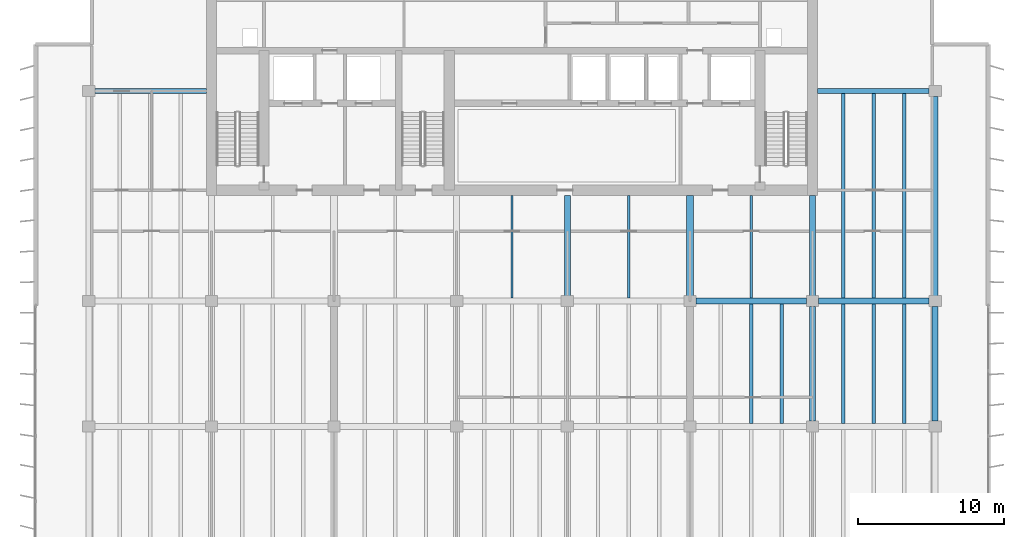
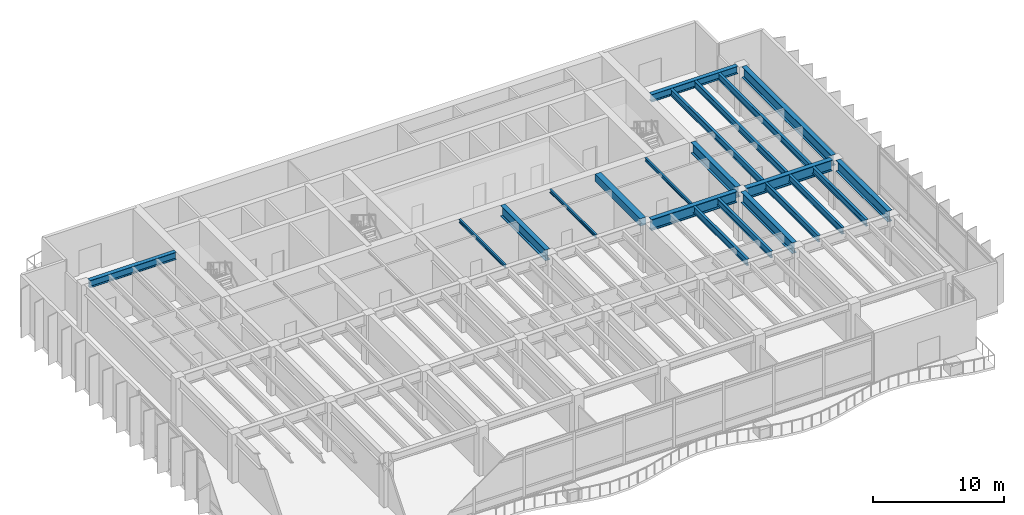
# One storey, part 5 of 15: 21 beams.
"""IFC4 building model written with IfcOpenShell, lengths in metres."""

from ifc_helpers import new_model, si_unit, direction, frame, origin, origin_2d, place, context, subcontext, project, spatial, rectangle, i_section, extrude, material, material_profile, profile_set, type_object, element, save


model = new_model("IFC4")

# Units and contexts
model_context = context("Model", 3, precision=1e-05, world=origin(), true_north=direction((0.0, 1.0)))
body_context = subcontext(model_context, "Body", "Model", "MODEL_VIEW")
ifc_project = project(units=[si_unit("LENGTHUNIT", "METRE"), si_unit("AREAUNIT", "SQUARE_METRE"), si_unit("VOLUMEUNIT", "CUBIC_METRE"), si_unit("PLANEANGLEUNIT", "RADIAN"), si_unit("MASSUNIT", "GRAM", prefix="KILO")], contexts=[model_context])

# Site, building, storey
site_placement = place(None, origin())
site = spatial("IfcSite", under=ifc_project, at=site_placement, CompositionType="ELEMENT")
building_placement = place(site_placement, origin())
building = spatial("IfcBuilding", under=site, at=building_placement, Name="Caelmar Bay Residences", CompositionType="ELEMENT")
storey_placement = place(building_placement, frame((0.0, 0.0, 183.60009765625)))
storey = spatial("IfcBuildingStorey", under=building, at=storey_placement, Name="L51", CompositionType="ELEMENT", Elevation=183.60009765625)

# Beams
ifc_material_1 = material(Name="Steel ASTM A992 Grade 50", Category="steel")
ifc_material_profile_1 = material_profile(ifc_material_1, i_section(OverallWidth=0.404052734375, OverallDepth=1.02099609375, WebThickness=0.025390625, FlangeThickness=0.0458984375, FilletRadius=0.02294921875, at=origin_2d()), Name="W40X324")
ifc_profile_set_1 = profile_set([ifc_material_profile_1], Name="Steel ASTM A992 Grade 50")
beam_type_1 = type_object("IfcBeamType", Name="BM-GRD-W40X324", PredefinedType="BEAM", material=ifc_profile_set_1)
for number, where, z_axis, x_axis, name in (
    (1, (51.514892578125, 29.39990234375, 4.039306640625), (1.0, 0.0, 0.0), (0.0, 1.0, 0.0), "L51 East-West Girder Y=29.40 (51.1-59.5)"),
    (2, (59.9150390625, 29.39990234375, 4.039306640625), (1.0, 0.0, 0.0), (0.0, 1.0, 0.0), "L51 East-West Girder Y=29.40 (59.5-67.9)"),
):
    element("IfcBeam", number, at=place(storey_placement, frame(where, z_axis=z_axis, x_axis=x_axis)), inside=storey, type_object=beam_type_1, Name=name, PredefinedType="BEAM", context=body_context, shape_type="SweptSolid", body=[
        extrude(i_section(OverallWidth=0.404052734375, OverallDepth=1.02099609375, WebThickness=0.025390625, FlangeThickness=0.0458984375, FilletRadius=0.02294921875, at=origin_2d()), origin(), (0.0, 0.0, 1.0), 7.570068359375),
    ])
for number, where, z_axis, x_axis, name in (
    (3, (42.699951171875, 29.764892578125, 4.039306640625), (0.0, 1.0, 0.0), (-1.0, 0.0, 0.0), "L51 Core Tie Girder X=42.70"),
    (4, (59.5, 29.764892578125, 4.039306640625), (0.0, 1.0, 0.0), (-1.0, 0.0, 0.0), "L51 Core Tie Girder X=59.50"),
):
    element("IfcBeam", number, at=place(storey_placement, frame(where, z_axis=z_axis, x_axis=x_axis)), inside=storey, type_object=beam_type_1, Name=name, PredefinedType="BEAM", context=body_context, shape_type="SweptSolid", body=[
        extrude(i_section(OverallWidth=0.404052734375, OverallDepth=1.02099609375, WebThickness=0.025390625, FlangeThickness=0.0458984375, FilletRadius=0.02294921875, at=origin_2d()), origin(), (0.0, 0.0, 1.0), 6.885009765625),
    ])
for number, where, z_axis, x_axis, name in (
    (5, (59.5, 21.1650390625, 4.039306640625), (0.0, 1.0, 0.0), (-1.0, 0.0, 0.0), "L51 North-South Girder X=59.50 (20.8-29.4)"),
    (6, (67.89990234375, 21.1650390625, 4.039306640625), (0.0, 1.0, 0.0), (-1.0, 0.0, 0.0), "L51 North-South Girder X=67.90 (20.8-29.4)"),
):
    element("IfcBeam", number, at=place(storey_placement, frame(where, z_axis=z_axis, x_axis=x_axis)), inside=storey, type_object=beam_type_1, Name=name, PredefinedType="BEAM", context=body_context, shape_type="SweptSolid", body=[
        extrude(i_section(OverallWidth=0.404052734375, OverallDepth=1.02099609375, WebThickness=0.025390625, FlangeThickness=0.0458984375, FilletRadius=0.02294921875, at=origin_2d()), origin(), (0.0, 0.0, 1.0), 7.869873046875),
    ])
beam_1_placement = place(storey_placement, frame((67.89990234375, 29.764892578125, 4.039306640625), z_axis=(0.0, 1.0, 0.0), x_axis=(-1.0, 0.0, 0.0)))
element("IfcBeam", 7, at=beam_1_placement, inside=storey, type_object=beam_type_1, Name="L51 North-South Girder X=67.90 (29.4-43.8)", PredefinedType="BEAM", context=body_context, shape_type="SweptSolid", body=[
    extrude(i_section(OverallWidth=0.404052734375, OverallDepth=1.02099609375, WebThickness=0.025390625, FlangeThickness=0.0458984375, FilletRadius=0.02294921875, at=origin_2d()), origin(), (0.0, 0.0, 1.0), 13.670166015625),
])
ifc_material_profile_2 = material_profile(ifc_material_1, i_section(OverallWidth=0.1650390625, OverallDepth=0.31005859375, WebThickness=0.005859375, FlangeThickness=0.009765625, FilletRadius=0.007568359375, at=origin_2d()), Name="W12X26")
ifc_profile_set_2 = profile_set([ifc_material_profile_2], Name="Steel ASTM A992 Grade 50")
beam_type_2 = type_object("IfcBeamType", Name="BM-JST-W12X26", PredefinedType="JOIST", material=ifc_profile_set_2)
for number, where, z_axis, x_axis, name in (
    (8, (38.89990234375, 29.60205078125, 4.39501953125), (0.0, 1.0, 0.0), (-1.0, 0.0, 0.0), "L51 Core-Band Composite Joist 45"),
    (9, (46.89990234375, 29.60205078125, 4.39501953125), (0.0, 1.0, 0.0), (-1.0, 0.0, 0.0), "L51 Core-Band Composite Joist 46"),
    (10, (55.300048828125, 29.60205078125, 4.39501953125), (0.0, 1.0, 0.0), (-1.0, 0.0, 0.0), "L51 Core-Band Composite Joist 47"),
):
    element("IfcBeam", number, at=place(storey_placement, frame(where, z_axis=z_axis, x_axis=x_axis)), inside=storey, type_object=beam_type_2, Name=name, PredefinedType="JOIST", context=body_context, shape_type="SweptSolid", body=[
        extrude(i_section(OverallWidth=0.1650390625, OverallDepth=0.31005859375, WebThickness=0.005859375, FlangeThickness=0.009765625, FilletRadius=0.007568359375, at=origin_2d()), origin(), (0.0, 0.0, 1.0), 7.0478515625),
    ])
ifc_material_profile_3 = material_profile(ifc_material_1, i_section(OverallWidth=0.22900390625, OverallDepth=0.612060546875, WebThickness=0.011962890625, FlangeThickness=0.01953125, FilletRadius=0.0126953125, at=origin_2d()), Name="W24X84")
ifc_profile_set_3 = profile_set([ifc_material_profile_3], Name="Steel ASTM A992 Grade 50")
beam_type_3 = type_object("IfcBeamType", Name="BM-JST-W24X84", PredefinedType="JOIST", material=ifc_profile_set_3)
for number, where, z_axis, x_axis, name in (
    (11, (55.300048828125, 21.001953125, 4.243896484375), (0.0, 1.0, 0.0), (-1.0, 0.0, 0.0), "L51 Composite Floor Joist 38"),
    (12, (57.39990234375, 21.001953125, 4.243896484375), (0.0, 1.0, 0.0), (-1.0, 0.0, 0.0), "L51 Composite Floor Joist 39"),
    (13, (61.60009765625, 21.001953125, 4.243896484375), (0.0, 1.0, 0.0), (-1.0, 0.0, 0.0), "L51 Composite Floor Joist 40"),
    (14, (63.699951171875, 21.001953125, 4.243896484375), (0.0, 1.0, 0.0), (-1.0, 0.0, 0.0), "L51 Composite Floor Joist 41"),
    (15, (65.800048828125, 21.001953125, 4.243896484375), (0.0, 1.0, 0.0), (-1.0, 0.0, 0.0), "L51 Composite Floor Joist 42"),
):
    element("IfcBeam", number, at=place(storey_placement, frame(where, z_axis=z_axis, x_axis=x_axis)), inside=storey, type_object=beam_type_3, Name=name, PredefinedType="JOIST", context=body_context, shape_type="SweptSolid", body=[
        extrude(i_section(OverallWidth=0.22900390625, OverallDepth=0.612060546875, WebThickness=0.011962890625, FlangeThickness=0.01953125, FilletRadius=0.0126953125, at=origin_2d()), origin(), (0.0, 0.0, 1.0), 8.196044921875),
    ])
for number, where, z_axis, x_axis, name in (
    (16, (61.60009765625, 29.60205078125, 4.243896484375), (0.0, 1.0, 0.0), (-1.0, 0.0, 0.0), "L51 Composite Floor Joist 51"),
    (17, (63.699951171875, 29.60205078125, 4.243896484375), (0.0, 1.0, 0.0), (-1.0, 0.0, 0.0), "L51 Composite Floor Joist 52"),
    (18, (65.800048828125, 29.60205078125, 4.243896484375), (0.0, 1.0, 0.0), (-1.0, 0.0, 0.0), "L51 Composite Floor Joist 53"),
):
    element("IfcBeam", number, at=place(storey_placement, frame(where, z_axis=z_axis, x_axis=x_axis)), inside=storey, type_object=beam_type_3, Name=name, PredefinedType="JOIST", context=body_context, shape_type="SweptSolid", body=[
        extrude(i_section(OverallWidth=0.22900390625, OverallDepth=0.612060546875, WebThickness=0.011962890625, FlangeThickness=0.01953125, FilletRadius=0.0126953125, at=origin_2d()), origin(), (0.0, 0.0, 1.0), 14.02001953125),
    ])
ifc_material_2 = material(Name="Concrete f'c 55 MPa (8,000 psi)", Category="concrete")
ifc_material_profile_4 = material_profile(ifc_material_2, rectangle(XDim=0.5, YDim=0.699951171875, at=origin_2d()), Name="RC-BM-500X700")
ifc_profile_set_4 = profile_set([ifc_material_profile_4], Name="Concrete f'c 55 MPa (8,000 psi)")
beam_type_4 = type_object("IfcBeamType", Name="BM-RC-500X700", PredefinedType="LINTEL", material=ifc_profile_set_4)
beam_2_placement = place(storey_placement, frame((51.10009765625, 29.764892578125, 4.199951171875), z_axis=(0.0, 1.0, 0.0), x_axis=(-1.0, 0.0, 0.0)))
element("IfcBeam", 19, at=beam_2_placement, inside=storey, type_object=beam_type_4, Name="L51 Shear-Wall Corridor Coupling Lintel E8", PredefinedType="LINTEL", context=body_context, shape_type="SweptSolid", body=[
    extrude(rectangle(XDim=0.5, YDim=0.699951171875, at=origin_2d()), origin(), (0.0, 0.0, 1.0), 6.885009765625),
])
ifc_material_profile_5 = material_profile(ifc_material_1, i_section(OverallWidth=0.35595703125, OverallDepth=0.696044921875, WebThickness=0.015380859375, FlangeThickness=0.02490234375, FilletRadius=0.01513671875, at=origin_2d()), Name="W27X146")
ifc_profile_set_5 = profile_set([ifc_material_profile_5], Name="Steel ASTM A992 Grade 50")
beam_type_5 = type_object("IfcBeamType", Name="BM-SPN-W27X146", PredefinedType="SPANDREL", material=ifc_profile_set_5)
for number, where, z_axis, x_axis, name in (
    (20, (10.31494140625, 43.800048828125, 4.201904296875), (1.0, 0.0, 0.0), (0.0, 1.0, 0.0), "L51 North-West Wing Core Tie Girder"),
    (21, (59.85009765625, 43.800048828125, 4.201904296875), (1.0, 0.0, 0.0), (0.0, 1.0, 0.0), "L51 North-East Wing Core Tie Girder"),
):
    element("IfcBeam", number, at=place(storey_placement, frame(where, z_axis=z_axis, x_axis=x_axis)), inside=storey, type_object=beam_type_5, Name=name, PredefinedType="SPANDREL", context=body_context, shape_type="SweptSolid", body=[
        extrude(i_section(OverallWidth=0.35595703125, OverallDepth=0.696044921875, WebThickness=0.015380859375, FlangeThickness=0.02490234375, FilletRadius=0.01513671875, at=origin_2d()), origin(), (0.0, 0.0, 1.0), 7.635009765625),
    ])

save(model, "model.ifc")
